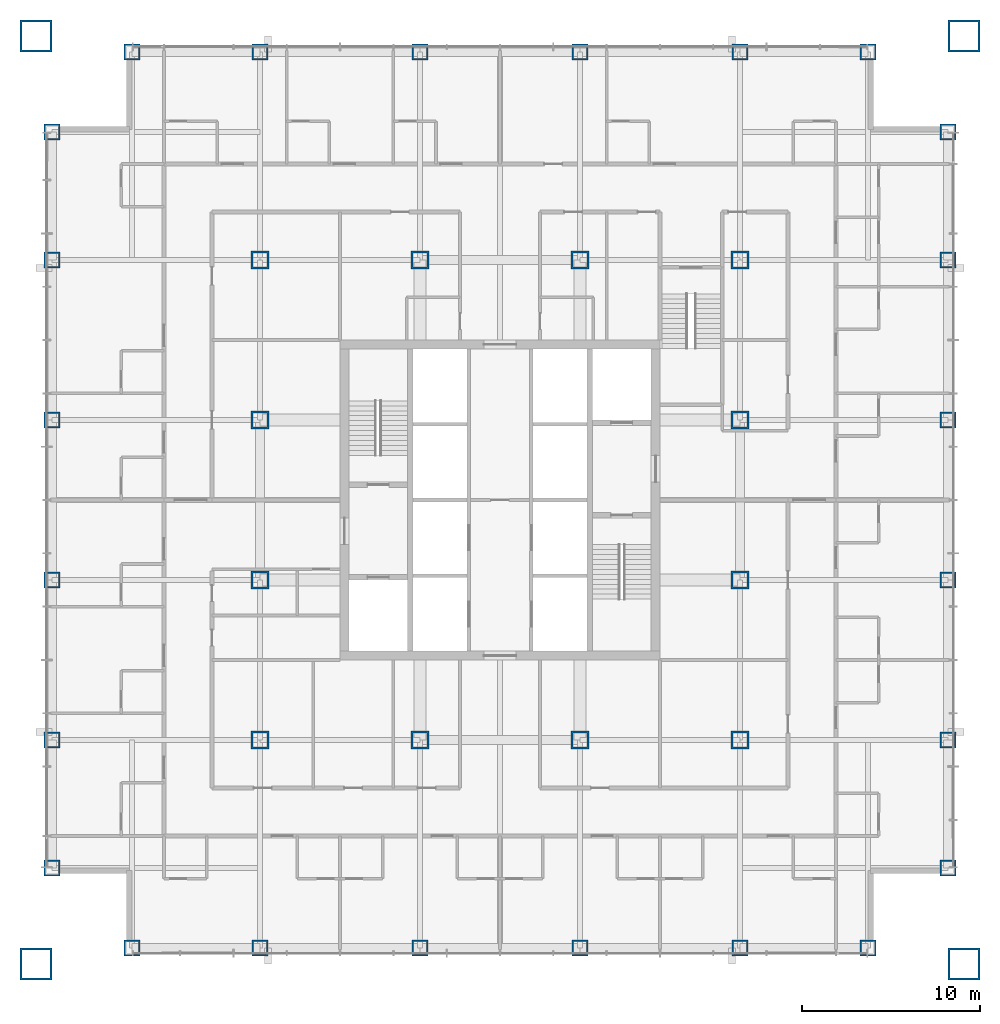
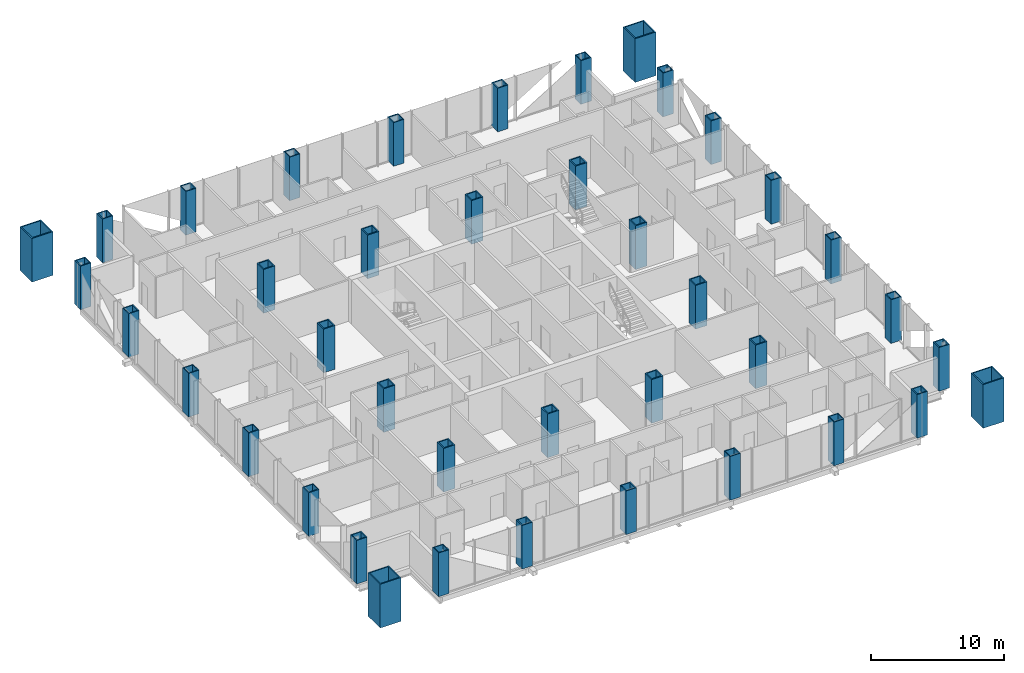
# One storey, part 1 of 17: 40 columns.
"""IFC4 building model written with IfcOpenShell, lengths in metres."""

from ifc_helpers import new_model, si_unit, direction, frame, origin, origin_2d, place, context, subcontext, project, spatial, hollow_rectangle, extrude, material, material_profile, profile_set, type_object, element, save


model = new_model("IFC4")

# Units and contexts
model_context = context("Model", 3, precision=1e-05, world=origin(), true_north=direction((0.0, 1.0)))
body_context = subcontext(model_context, "Body", "Model", "MODEL_VIEW")
ifc_project = project(units=[si_unit("LENGTHUNIT", "METRE"), si_unit("AREAUNIT", "SQUARE_METRE"), si_unit("VOLUMEUNIT", "CUBIC_METRE"), si_unit("PLANEANGLEUNIT", "RADIAN"), si_unit("MASSUNIT", "GRAM", prefix="KILO")], contexts=[model_context])

# Site, building, storey
site_placement = place(None, origin())
site = spatial("IfcSite", under=ifc_project, at=site_placement, CompositionType="ELEMENT")
building_placement = place(site_placement, origin())
building = spatial("IfcBuilding", under=site, at=building_placement, Name="Malebo Sky Hospital", CompositionType="ELEMENT")
storey_placement = place(building_placement, frame((0.0, 0.0, 55.0)))
storey = spatial("IfcBuildingStorey", under=building, at=storey_placement, Name="L12", CompositionType="ELEMENT", Elevation=55.0)

# Columns
ifc_material = material(Name="Steel S460", Category="steel")
ifc_material_profile_1 = material_profile(ifc_material, hollow_rectangle(XDim=1.0, YDim=1.0, WallThickness=0.10009765625, at=origin_2d()), Name="BOX 1000x1000x100")
ifc_profile_set_1 = profile_set([ifc_material_profile_1], Name="Steel S460")
column_type_1 = type_object("IfcColumnType", Name="INNER COLUMN BOX 1000x1000x100", PredefinedType="COLUMN", material=ifc_profile_set_1)
for number, where, z_axis, x_axis, name in (
    (1, (46.5, 48.5, 0.0), (0.0, 0.0, 1.0), (1.0, 0.0, 0.0), "Column IC9 L12"),
    (2, (73.5, 48.5, 0.0), (0.0, 0.0, 1.0), (1.0, 0.0, 0.0), "Column IC9 L12"),
    (3, (73.5, 75.5, 0.0), (0.0, 0.0, 1.0), (1.0, 0.0, 0.0), "Column IC9 L12"),
    (4, (46.5, 75.5, 0.0), (0.0, 0.0, 1.0), (1.0, 0.0, 0.0), "Column IC9 L12"),
    (5, (55.5, 48.5, 0.0), (0.0, 0.0, 1.0), (1.0, 0.0, 0.0), "Column IC9 L12"),
    (6, (64.5, 48.5, 0.0), (0.0, 0.0, 1.0), (1.0, 0.0, 0.0), "Column IC9 L12"),
    (7, (55.5, 75.5, 0.0), (0.0, 0.0, 1.0), (1.0, 0.0, 0.0), "Column IC9 L12"),
    (8, (64.5, 75.5, 0.0), (0.0, 0.0, 1.0), (1.0, 0.0, 0.0), "Column IC9 L12"),
    (9, (46.5, 57.5, 0.0), (0.0, 0.0, 1.0), (1.0, 0.0, 0.0), "Column IC9 L12"),
    (10, (46.5, 66.5, 0.0), (0.0, 0.0, 1.0), (1.0, 0.0, 0.0), "Column IC9 L12"),
    (11, (73.5, 57.5, 0.0), (0.0, 0.0, 1.0), (1.0, 0.0, 0.0), "Column IC9 L12"),
    (12, (73.5, 66.5, 0.0), (0.0, 0.0, 1.0), (1.0, 0.0, 0.0), "Column IC9 L12"),
):
    element("IfcColumn", number, at=place(storey_placement, frame(where, z_axis=z_axis, x_axis=x_axis)), inside=storey, type_object=column_type_1, Name=name, PredefinedType="COLUMN", context=body_context, shape_type="SweptSolid", body=[
        extrude(hollow_rectangle(XDim=1.0, YDim=1.0, WallThickness=0.10009765625, at=origin_2d()), origin(), (0.0, 0.0, 1.0), 4.0),
    ])
ifc_material_profile_2 = material_profile(ifc_material, hollow_rectangle(XDim=1.800048828125, YDim=1.800048828125, WallThickness=0.10009765625, at=origin_2d()), Name="BOX 1800x1800x100")
ifc_profile_set_2 = profile_set([ifc_material_profile_2], Name="Steel S460")
column_type_2 = type_object("IfcColumnType", Name="MEGA COLUMN BOX 1800x1800x100", PredefinedType="COLUMN", material=ifc_profile_set_2)
for number, where, z_axis, x_axis, name in (
    (13, (33.89990234375, 35.89990234375, 0.0), (0.0, 0.0, 1.0), (1.0, 0.0, 0.0), "Mega column SW L12"),
    (14, (86.10009765625, 35.89990234375, 0.0), (0.0, 0.0, 1.0), (1.0, 0.0, 0.0), "Mega column SE L12"),
    (15, (86.10009765625, 88.10009765625, 0.0), (0.0, 0.0, 1.0), (1.0, 0.0, 0.0), "Mega column NE L12"),
    (16, (33.89990234375, 88.10009765625, 0.0), (0.0, 0.0, 1.0), (1.0, 0.0, 0.0), "Mega column NW L12"),
):
    element("IfcColumn", number, at=place(storey_placement, frame(where, z_axis=z_axis, x_axis=x_axis)), inside=storey, type_object=column_type_2, Name=name, PredefinedType="COLUMN", context=body_context, shape_type="SweptSolid", body=[
        extrude(hollow_rectangle(XDim=1.800048828125, YDim=1.800048828125, WallThickness=0.10009765625, at=origin_2d()), origin(), (0.0, 0.0, 1.0), 4.0),
    ])
ifc_material_profile_3 = material_profile(ifc_material, hollow_rectangle(XDim=0.89990234375, YDim=0.89990234375, WallThickness=0.080078125, at=origin_2d()), Name="BOX 900x900x80")
ifc_profile_set_3 = profile_set([ifc_material_profile_3], Name="Steel S460")
column_type_3 = type_object("IfcColumnType", Name="PERIMETER COLUMN BOX 900x900x80", PredefinedType="COLUMN", material=ifc_profile_set_3)
for number, where, z_axis, x_axis, name in (
    (17, (39.300048828125, 36.800048828125, 0.0), (0.0, 0.0, 1.0), (1.0, 0.0, 0.0), "Column PC8 L12"),
    (18, (39.300048828125, 87.199951171875, 0.0), (0.0, 0.0, 1.0), (1.0, 0.0, 0.0), "Column PC8 L12"),
    (19, (34.800048828125, 41.300048828125, 0.0), (0.0, 0.0, 1.0), (1.0, 0.0, 0.0), "Column PC8 L12"),
    (20, (85.199951171875, 41.300048828125, 0.0), (0.0, 0.0, 1.0), (1.0, 0.0, 0.0), "Column PC8 L12"),
    (21, (46.5, 36.800048828125, 0.0), (0.0, 0.0, 1.0), (1.0, 0.0, 0.0), "Column PC8 L12"),
    (22, (46.5, 87.199951171875, 0.0), (0.0, 0.0, 1.0), (1.0, 0.0, 0.0), "Column PC8 L12"),
    (23, (34.800048828125, 48.5, 0.0), (0.0, 0.0, 1.0), (1.0, 0.0, 0.0), "Column PC8 L12"),
    (24, (85.199951171875, 48.5, 0.0), (0.0, 0.0, 1.0), (1.0, 0.0, 0.0), "Column PC8 L12"),
    (25, (55.5, 36.800048828125, 0.0), (0.0, 0.0, 1.0), (1.0, 0.0, 0.0), "Column PC8 L12"),
    (26, (55.5, 87.199951171875, 0.0), (0.0, 0.0, 1.0), (1.0, 0.0, 0.0), "Column PC8 L12"),
    (27, (34.800048828125, 57.5, 0.0), (0.0, 0.0, 1.0), (1.0, 0.0, 0.0), "Column PC8 L12"),
    (28, (85.199951171875, 57.5, 0.0), (0.0, 0.0, 1.0), (1.0, 0.0, 0.0), "Column PC8 L12"),
    (29, (64.5, 36.800048828125, 0.0), (0.0, 0.0, 1.0), (1.0, 0.0, 0.0), "Column PC8 L12"),
    (30, (64.5, 87.199951171875, 0.0), (0.0, 0.0, 1.0), (1.0, 0.0, 0.0), "Column PC8 L12"),
    (31, (34.800048828125, 66.5, 0.0), (0.0, 0.0, 1.0), (1.0, 0.0, 0.0), "Column PC8 L12"),
    (32, (85.199951171875, 66.5, 0.0), (0.0, 0.0, 1.0), (1.0, 0.0, 0.0), "Column PC8 L12"),
    (33, (73.5, 36.800048828125, 0.0), (0.0, 0.0, 1.0), (1.0, 0.0, 0.0), "Column PC8 L12"),
    (34, (73.5, 87.199951171875, 0.0), (0.0, 0.0, 1.0), (1.0, 0.0, 0.0), "Column PC8 L12"),
    (35, (34.800048828125, 75.5, 0.0), (0.0, 0.0, 1.0), (1.0, 0.0, 0.0), "Column PC8 L12"),
    (36, (85.199951171875, 75.5, 0.0), (0.0, 0.0, 1.0), (1.0, 0.0, 0.0), "Column PC8 L12"),
    (37, (80.699951171875, 36.800048828125, 0.0), (0.0, 0.0, 1.0), (1.0, 0.0, 0.0), "Column PC8 L12"),
    (38, (80.699951171875, 87.199951171875, 0.0), (0.0, 0.0, 1.0), (1.0, 0.0, 0.0), "Column PC8 L12"),
    (39, (34.800048828125, 82.699951171875, 0.0), (0.0, 0.0, 1.0), (1.0, 0.0, 0.0), "Column PC8 L12"),
    (40, (85.199951171875, 82.699951171875, 0.0), (0.0, 0.0, 1.0), (1.0, 0.0, 0.0), "Column PC8 L12"),
):
    element("IfcColumn", number, at=place(storey_placement, frame(where, z_axis=z_axis, x_axis=x_axis)), inside=storey, type_object=column_type_3, Name=name, PredefinedType="COLUMN", context=body_context, shape_type="SweptSolid", body=[
        extrude(hollow_rectangle(XDim=0.89990234375, YDim=0.89990234375, WallThickness=0.080078125, at=origin_2d()), origin(), (0.0, 0.0, 1.0), 4.0),
    ])

save(model, "model.ifc")
